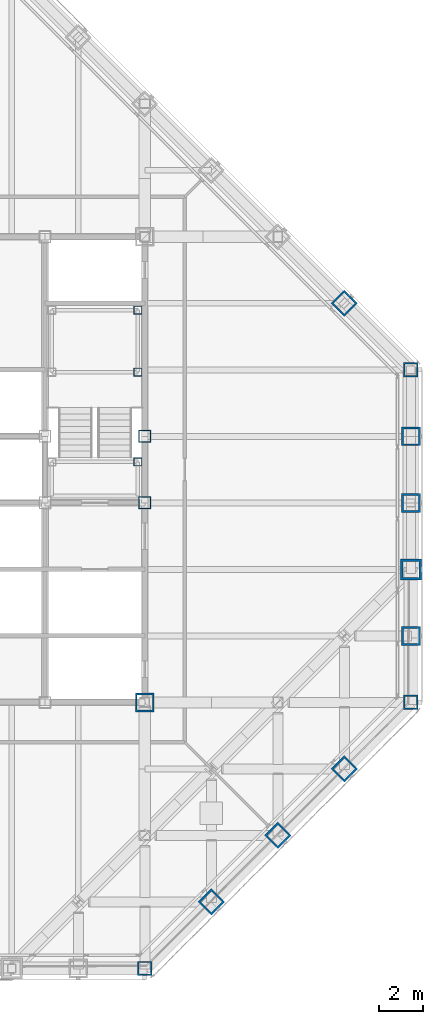
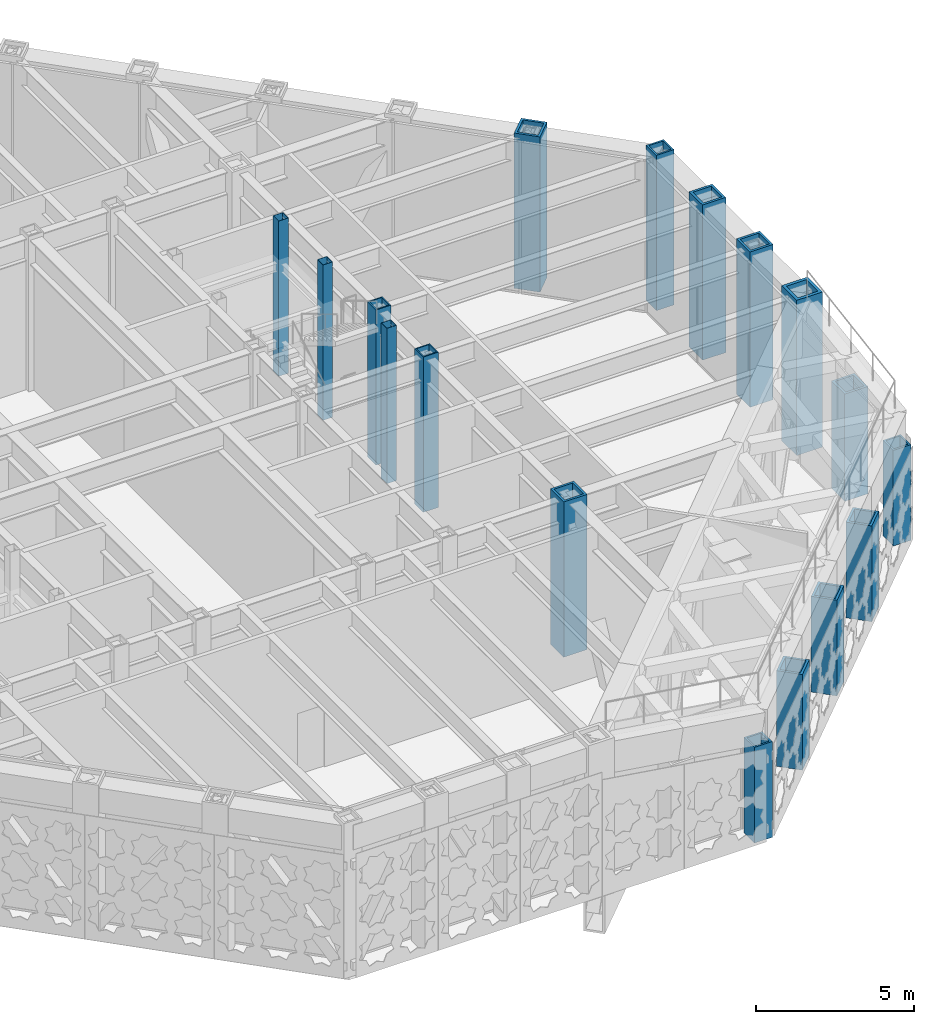
# One storey, part 3 of 29: 17 columns.
"""IFC4 building model written with IfcOpenShell, lengths in metres."""

import ifcopenshell
import ifcopenshell.guid

model = None  # the IFC model being written
_history = None  # IfcOwnerHistory: only IFC2X3 demands one
_inside = {}  # id of a spatial element -> (the spatial element, [elements in it])
_under = {}  # id of a project, library or spatial element -> (it, [spatial elements below it])
_declared = {}  # id of a project -> (the project, [libraries it declares])
_typed = {}  # id of a type object -> (the type object, [elements of that type])
_made_of = {}  # id of a material, layer set ... -> (it, [elements and type objects made of it])


def new_model(schema):
    """Start an empty IFC model of exactly this schema.

    Asked for "IFC4X3", IfcOpenShell would pick the latest addendum, in which some entities
    have other attributes; the version numbers below select the first issue.
    IFC2X3 requires an IfcOwnerHistory on every rooted entity: one is made here for all.
    """
    global model, _history
    if schema == "IFC4X3":
        model = ifcopenshell.file(schema_version=(4, 3, 0, 0))
    else:
        model = ifcopenshell.file(schema=schema)
    _inside.clear()
    _under.clear()
    _declared.clear()
    _typed.clear()
    _made_of.clear()
    _history = None
    if model.schema == "IFC2X3":
        org = make("IfcOrganization", Name="unknown")
        user = make(
            "IfcPersonAndOrganization",
            ThePerson=make("IfcPerson", FamilyName="unknown"),
            TheOrganization=org,
        )
        app = make(
            "IfcApplication",
            ApplicationDeveloper=org,
            Version="unknown",
            ApplicationFullName="unknown",
            ApplicationIdentifier="unknown",
        )
        _history = make(
            "IfcOwnerHistory",
            OwningUser=user,
            OwningApplication=app,
            ChangeAction="ADDED",
            CreationDate=0,
        )
    return model


def make(cls, **values):
    """One entity of the class cls with the attributes given. An attribute that is None is left unset."""
    return model.create_entity(
        cls, **{name: value for name, value in values.items() if value is not None}
    )


def rooted(cls, **values):
    """An entity with a GlobalId (a new one), such as an element, a storey or a relation."""
    return make(cls, GlobalId=ifcopenshell.guid.new(), OwnerHistory=_history, **values)


def si_unit(unit_type, name, prefix=None):
    """IfcSIUnit, for example si_unit("LENGTHUNIT", "METRE", prefix="MILLI")."""
    return make("IfcSIUnit", UnitType=unit_type, Prefix=prefix, Name=name)


def assignment(units):
    """IfcUnitAssignment: the units of a project."""
    return None if units is None else make("IfcUnitAssignment", Units=units)


def point(xyz):
    """IfcCartesianPoint."""
    return None if xyz is None else make("IfcCartesianPoint", Coordinates=xyz)


def direction(xyz):
    """IfcDirection."""
    return None if xyz is None else make("IfcDirection", DirectionRatios=xyz)


def frame(location, z_axis=None, x_axis=None):
    """IfcAxis2Placement3D, a coordinate frame: its origin and axes. An axis left out is left unset."""
    return make(
        "IfcAxis2Placement3D",
        Location=point(location),
        Axis=direction(z_axis),
        RefDirection=direction(x_axis),
    )


def frame_2d(location, x_axis=None):
    """IfcAxis2Placement2D, a coordinate frame in the plane: its origin and x axis."""
    return make(
        "IfcAxis2Placement2D", Location=point(location), RefDirection=direction(x_axis)
    )


def origin():
    """The frame at (0, 0, 0) with its axes left unset."""
    return frame((0.0, 0.0, 0.0))


def origin_2d():
    """The frame at (0, 0) in the plane with its x axis left unset."""
    return frame_2d((0.0, 0.0))


def place(relative_to, where):
    """IfcLocalPlacement: puts the frame where relative to a parent placement (None: the world)."""
    return make(
        "IfcLocalPlacement", PlacementRelTo=relative_to, RelativePlacement=where
    )


def context(
    kind, dimensions, precision=None, world=None, true_north=None, identifier=None
):
    """IfcGeometricRepresentationContext, for example the 3D "Model" context."""
    return make(
        "IfcGeometricRepresentationContext",
        ContextIdentifier=identifier,
        ContextType=kind,
        CoordinateSpaceDimension=dimensions,
        Precision=precision,
        WorldCoordinateSystem=world,
        TrueNorth=true_north,
    )


def subcontext(parent, identifier, kind, view, scale=None):
    """IfcGeometricRepresentationSubContext, for example "Body" below "Model"."""
    return make(
        "IfcGeometricRepresentationSubContext",
        ContextIdentifier=identifier,
        ContextType=kind,
        ParentContext=parent,
        TargetScale=scale,
        TargetView=view,
    )


def project(units=None, contexts=None):
    """IfcProject with its units and contexts."""
    return rooted(
        "IfcProject",
        Name="project",
        RepresentationContexts=contexts,
        UnitsInContext=assignment(units),
    )


def spatial(cls, under=None, at=None, **own):
    """A site, building, storey or space (cls), placed at a placement, below another one or the project."""
    s = rooted(cls, ObjectPlacement=at, **own)
    if under is not None:
        _under.setdefault(under.id(), (under, []))[1].append(s)
    return s


def profile(cls, at=None, kind="AREA", **sizes):
    """A parametric profile (cls). Its sizes go by their IFC names, for example OverallWidth=200.0."""
    return make(cls, ProfileType=kind, Position=at, **sizes)


def hollow_rectangle(**sizes):
    """IfcRectangleHollowProfileDef."""
    return profile("IfcRectangleHollowProfileDef", **sizes)


def extrude(swept, where, along, depth):
    """IfcExtrudedAreaSolid: the profile swept, set in the frame where, extruded along a direction by depth."""
    return make(
        "IfcExtrudedAreaSolid",
        SweptArea=swept,
        Position=where,
        ExtrudedDirection=direction(along),
        Depth=depth,
    )


def shape(context_of_items, identifier, shape_type, items):
    """IfcShapeRepresentation: the items that make up one representation, for example the "Body"."""
    return make(
        "IfcShapeRepresentation",
        ContextOfItems=context_of_items,
        RepresentationIdentifier=identifier,
        RepresentationType=shape_type,
        Items=items,
    )


def material(Name=None, Category=None):
    """IfcMaterial."""
    return make("IfcMaterial", Name=Name, Category=Category)


def material_profile(
    of_material, cross_section, Name=None, Category=None, Priority=None
):
    """IfcMaterialProfile: a cross section and its material."""
    return make(
        "IfcMaterialProfile",
        Name=Name,
        Material=of_material,
        Profile=cross_section,
        Priority=Priority,
        Category=Category,
    )


def profile_set(profiles, Name=None, composite=None):
    """IfcMaterialProfileSet."""
    return make(
        "IfcMaterialProfileSet",
        Name=Name,
        MaterialProfiles=profiles,
        CompositeProfile=composite,
    )


def made_of(thing, what):
    """Note that an element or type object is made of a material, layer set ...; save() writes the relation."""
    if what is not None:
        _made_of.setdefault(what.id(), (what, []))[1].append(thing)
    return thing


def type_object(cls, material=None, **own):
    """A type object (cls), such as IfcWallType, which elements share."""
    return made_of(rooted(cls, **own), material)


def element(
    cls,
    number,
    at=None,
    inside=None,
    cuts=None,
    type_object=None,
    material=None,
    context=None,
    identifier="Body",
    shape_type=None,
    held_by="IfcProductDefinitionShape",
    body=None,
    shapes=None,
    **own,
):
    """One element of the class cls, such as IfcWall. Its Tag is "e" and its number.

    at: its placement. inside: the storey or other place that contains it. cuts: it is an
    opening in that element (IfcRelVoidsElement). A single representation is given by context,
    identifier, shape_type and body (its items); several are given by shapes. held_by: the class
    of the entity that holds the representations. save() writes the other relations.
    """
    e = rooted(cls, Tag="e%d" % number, ObjectPlacement=at, **own)
    if body is not None:
        shapes = [shape(context, identifier, shape_type, body)]
    if shapes is not None:
        e.Representation = make(held_by, Representations=shapes)
    if inside is not None:
        _inside.setdefault(inside.id(), (inside, []))[1].append(e)
    if cuts is not None:
        rooted(
            "IfcRelVoidsElement", RelatingBuildingElement=cuts, RelatedOpeningElement=e
        )
    if type_object is not None:
        _typed.setdefault(type_object.id(), (type_object, []))[1].append(e)
    return made_of(e, material)


def aggregate(whole, parts):
    """IfcRelAggregates: a whole, such as a stair, and the parts it consists of."""
    return rooted("IfcRelAggregates", RelatingObject=whole, RelatedObjects=parts)


def save(model, path):
    """Write the relations noted so far, then the file.

    IfcRelAggregates (storeys below a building ...), IfcRelContainedInSpatialStructure (elements
    in a storey), IfcRelDefinesByType, IfcRelAssociatesMaterial and IfcRelDeclares: one each for
    every whole, place, type object, material and project.
    """
    for whole, parts in _under.values():
        aggregate(whole, parts)
    for where, things in _inside.values():
        rooted(
            "IfcRelContainedInSpatialStructure",
            RelatedElements=things,
            RelatingStructure=where,
        )
    for kind, things in _typed.values():
        rooted("IfcRelDefinesByType", RelatedObjects=things, RelatingType=kind)
    for what, things in _made_of.values():
        rooted("IfcRelAssociatesMaterial", RelatedObjects=things, RelatingMaterial=what)
    for by, libraries in _declared.values():
        rooted("IfcRelDeclares", RelatingContext=by, RelatedDefinitions=libraries)
    model.write(path)


model = new_model("IFC4")

# Units and contexts
model_context = context("Model", 3, precision=1e-05, world=origin(), true_north=direction((0.0, 1.0)))
body_context = subcontext(model_context, "Body", "Model", "MODEL_VIEW")
ifc_project = project(units=[si_unit("LENGTHUNIT", "METRE"), si_unit("AREAUNIT", "SQUARE_METRE"), si_unit("VOLUMEUNIT", "CUBIC_METRE"), si_unit("PLANEANGLEUNIT", "RADIAN"), si_unit("MASSUNIT", "GRAM", prefix="KILO")], contexts=[model_context])

# Site, building, storey
site_placement = place(None, origin())
site = spatial("IfcSite", under=ifc_project, at=site_placement, CompositionType="ELEMENT")
building_placement = place(site_placement, origin())
building = spatial("IfcBuilding", under=site, at=building_placement, Name="Chuquiago Exchange Tower", CompositionType="ELEMENT")
storey_placement = place(building_placement, frame((0.0, 0.0, 251.699951171875)))
storey = spatial("IfcBuildingStorey", under=building, at=storey_placement, Name="L56", CompositionType="ELEMENT", Elevation=251.699951171875)

# Columns
ifc_material_1 = material(Name="Steel ASTM A572 Grade 50", Category="steel")
ifc_material_profile_1 = material_profile(ifc_material_1, hollow_rectangle(XDim=0.85009765625, YDim=0.85009765625, WallThickness=0.0849609375, at=origin_2d()), Name="BOX850X850X85")
ifc_profile_set_1 = profile_set([ifc_material_profile_1], Name="Steel ASTM A572 Grade 50")
column_type_1 = type_object("IfcColumnType", Name="C6 BOX850X850X85", PredefinedType="COLUMN", material=ifc_profile_set_1)
for number, where, z_axis, x_axis, name in (
    (1, (36.0, 3.0, 0.0), (0.0, 0.0, 1.0), (0.707106781187, -0.707106781187, 0.0), "COL-L56-36_3"),
    (2, (39.0, 6.0, 0.0), (0.0, 0.0, 1.0), (0.707106781187, -0.707106781187, 0.0), "COL-L56-39_6"),
    (3, (42.0, 9.0, 0.0), (0.0, 0.0, 1.0), (0.707106781187, -0.707106781187, 0.0), "COL-L56-42_9"),
):
    element("IfcColumn", number, at=place(storey_placement, frame(where, z_axis=z_axis, x_axis=x_axis)), inside=storey, type_object=column_type_1, Name=name, PredefinedType="COLUMN", context=body_context, shape_type="SweptSolid", body=[
        extrude(hollow_rectangle(XDim=0.85009765625, YDim=0.85009765625, WallThickness=0.0849609375, at=origin_2d()), origin(), (0.0, 0.0, 1.0), 3.6982421875),
    ])
column_1_placement = place(storey_placement, frame((45.0, 15.0, 0.0), z_axis=(0.0, 0.0, 1.0), x_axis=(1.0, 0.0, 0.0)))
element("IfcColumn", 4, at=column_1_placement, inside=storey, type_object=column_type_1, Name="COL-L56-45_15", PredefinedType="COLUMN", context=body_context, shape_type="SweptSolid", body=[
    extrude(hollow_rectangle(XDim=0.85009765625, YDim=0.85009765625, WallThickness=0.0849609375, at=origin_2d()), origin(), (0.0, 0.0, 1.0), 4.149169921875),
])
for number, where, z_axis, x_axis, name in (
    (5, (45.0, 21.0, 0.0), (0.0, 0.0, 1.0), (1.0, 0.0, 0.0), "COL-L56-45_21"),
    (6, (45.0, 24.0, 0.0), (0.0, 0.0, 1.0), (1.0, 0.0, 0.0), "COL-L56-45_24"),
    (7, (42.0, 30.0, 0.0), (0.0, 0.0, 1.0), (0.707106781187, 0.707106781187, 0.0), "COL-L56-42_30"),
):
    element("IfcColumn", number, at=place(storey_placement, frame(where, z_axis=z_axis, x_axis=x_axis)), inside=storey, type_object=column_type_1, Name=name, PredefinedType="COLUMN", context=body_context, shape_type="SweptSolid", body=[
        extrude(hollow_rectangle(XDim=0.85009765625, YDim=0.85009765625, WallThickness=0.0849609375, at=origin_2d()), origin(), (0.0, 0.0, 1.0), 6.0),
    ])
ifc_material_2 = material(Name="Steel ASTM A572 Grade 50", Category="steel")
ifc_material_profile_2 = material_profile(ifc_material_2, hollow_rectangle(XDim=0.85009765625, YDim=0.85009765625, WallThickness=0.0849609375, at=origin_2d()), Name="BOX850X850X85")
ifc_profile_set_2 = profile_set([ifc_material_profile_2], Name="Steel ASTM A572 Grade 50")
column_type_2 = type_object("IfcColumnType", Name="CC6 BOX850X850X85", PredefinedType="COLUMN", material=ifc_profile_set_2)
column_2_placement = place(storey_placement, frame((33.0, 12.0, 0.0), z_axis=(0.0, 0.0, 1.0), x_axis=(1.0, 0.0, 0.0)))
element("IfcColumn", 8, at=column_2_placement, inside=storey, type_object=column_type_2, Name="CCOL-L56-33_12", PredefinedType="COLUMN", context=body_context, shape_type="SweptSolid", body=[
    extrude(hollow_rectangle(XDim=0.85009765625, YDim=0.85009765625, WallThickness=0.0849609375, at=origin_2d()), origin(), (0.0, 0.0, 1.0), 6.0),
])
ifc_material_3 = material(Name="Steel ASTM A572 Grade 50", Category="steel")
ifc_material_profile_3 = material_profile(ifc_material_3, hollow_rectangle(XDim=0.550048828125, YDim=0.550048828125, WallThickness=0.044921875, at=origin_2d()), Name="BOX550X550X45")
ifc_profile_set_3 = profile_set([ifc_material_profile_3], Name="Steel ASTM A572 Grade 50")
column_type_3 = type_object("IfcColumnType", Name="CC8 BOX550X550X45", PredefinedType="COLUMN", material=ifc_profile_set_3)
for number, where, z_axis, x_axis, name in (
    (9, (33.0, 21.0, 0.0), (0.0, 0.0, 1.0), (1.0, 0.0, 0.0), "CCOL-L56-33_21"),
    (10, (33.0, 24.0, 0.0), (0.0, 0.0, 1.0), (1.0, 0.0, 0.0), "CCOL-L56-33_24"),
):
    element("IfcColumn", number, at=place(storey_placement, frame(where, z_axis=z_axis, x_axis=x_axis)), inside=storey, type_object=column_type_3, Name=name, PredefinedType="COLUMN", context=body_context, shape_type="SweptSolid", body=[
        extrude(hollow_rectangle(XDim=0.550048828125, YDim=0.550048828125, WallThickness=0.044921875, at=origin_2d()), origin(), (0.0, 0.0, 1.0), 6.0),
    ])
ifc_material_4 = material(Name="Steel ASTM A572 Grade 50", Category="steel")
ifc_material_profile_4 = material_profile(ifc_material_4, hollow_rectangle(XDim=0.64990234375, YDim=0.64990234375, WallThickness=0.06494140625, at=origin_2d()), Name="BOX650X650X65")
ifc_profile_set_4 = profile_set([ifc_material_profile_4], Name="Steel ASTM A572 Grade 50")
column_type_4 = type_object("IfcColumnType", Name="CN2 BOX650X650X65", PredefinedType="COLUMN", material=ifc_profile_set_4)
for number, where, z_axis, x_axis, name in (
    (11, (33.0, 0.0, 0.0), (0.0, 0.0, 1.0), (0.0, -1.0, 0.0), "COL-L56-33_0"),
    (12, (45.0, 12.0, 0.0), (0.0, 0.0, 1.0), (1.0, 0.0, 0.0), "COL-L56-45_12"),
):
    element("IfcColumn", number, at=place(storey_placement, frame(where, z_axis=z_axis, x_axis=x_axis)), inside=storey, type_object=column_type_4, Name=name, PredefinedType="COLUMN", context=body_context, shape_type="SweptSolid", body=[
        extrude(hollow_rectangle(XDim=0.64990234375, YDim=0.64990234375, WallThickness=0.06494140625, at=origin_2d()), origin(), (0.0, 0.0, 1.0), 3.6982421875),
    ])
column_3_placement = place(storey_placement, frame((45.0, 27.0, 0.0), z_axis=(0.0, 0.0, 1.0), x_axis=(1.0, 0.0, 0.0)))
element("IfcColumn", 13, at=column_3_placement, inside=storey, type_object=column_type_4, Name="COL-L56-45_27", PredefinedType="COLUMN", context=body_context, shape_type="SweptSolid", body=[
    extrude(hollow_rectangle(XDim=0.64990234375, YDim=0.64990234375, WallThickness=0.06494140625, at=origin_2d()), origin(), (0.0, 0.0, 1.0), 6.0),
])
ifc_material_5 = material(Name="Steel ASTM A572 Grade 42", Category="steel")
ifc_material_profile_5 = material_profile(ifc_material_5, hollow_rectangle(XDim=0.949951171875, YDim=0.949951171875, WallThickness=0.110107421875, at=origin_2d()), Name="BOX950X950X110")
ifc_profile_set_5 = profile_set([ifc_material_profile_5], Name="Steel ASTM A572 Grade 42")
column_type_5 = type_object("IfcColumnType", Name="CT1 BOX950X950X110", PredefinedType="COLUMN", material=ifc_profile_set_5)
column_4_placement = place(storey_placement, frame((45.0, 18.0, 0.0), z_axis=(0.0, 0.0, 1.0), x_axis=(1.0, 0.0, 0.0)))
element("IfcColumn", 14, at=column_4_placement, inside=storey, type_object=column_type_5, Name="COL-L56-45_18", PredefinedType="COLUMN", context=body_context, shape_type="SweptSolid", body=[
    extrude(hollow_rectangle(XDim=0.949951171875, YDim=0.949951171875, WallThickness=0.110107421875, at=origin_2d()), origin(), (0.0, 0.0, 1.0), 6.0),
])
ifc_material_6 = material(Name="Steel ASTM A500 Grade C", Category="steel")
ifc_material_profile_6 = material_profile(ifc_material_6, hollow_rectangle(XDim=0.355712890625, YDim=0.355712890625, WallThickness=0.0087890625, at=origin_2d()), Name="HSS14X14X3/8")
ifc_profile_set_6 = profile_set([ifc_material_profile_6], Name="Steel ASTM A500 Grade C")
column_type_6 = type_object("IfcColumnType", Name="PT1 HSS14X14X3/8", PredefinedType="COLUMN", material=ifc_profile_set_6)
for number, where, z_axis, x_axis, name in (
    (15, (32.68994140625, 29.68994140625, 0.0), (0.0, 0.0, 1.0), (1.0, 0.0, 0.0), "Stair ST2 L56 landing post"),
    (16, (32.68994140625, 26.889892578125, 0.0), (0.0, 0.0, 1.0), (1.0, 0.0, 0.0), "Stair ST2 L56 landing post"),
    (17, (32.68994140625, 22.85009765625, 0.0), (0.0, 0.0, 1.0), (1.0, 0.0, 0.0), "Stair ST2 L56 landing post"),
):
    element("IfcColumn", number, at=place(storey_placement, frame(where, z_axis=z_axis, x_axis=x_axis)), inside=storey, type_object=column_type_6, Name=name, PredefinedType="COLUMN", context=body_context, shape_type="SweptSolid", body=[
        extrude(hollow_rectangle(XDim=0.355712890625, YDim=0.355712890625, WallThickness=0.0087890625, at=origin_2d()), origin(), (0.0, 0.0, 1.0), 6.0),
    ])

save(model, "model.ifc")
